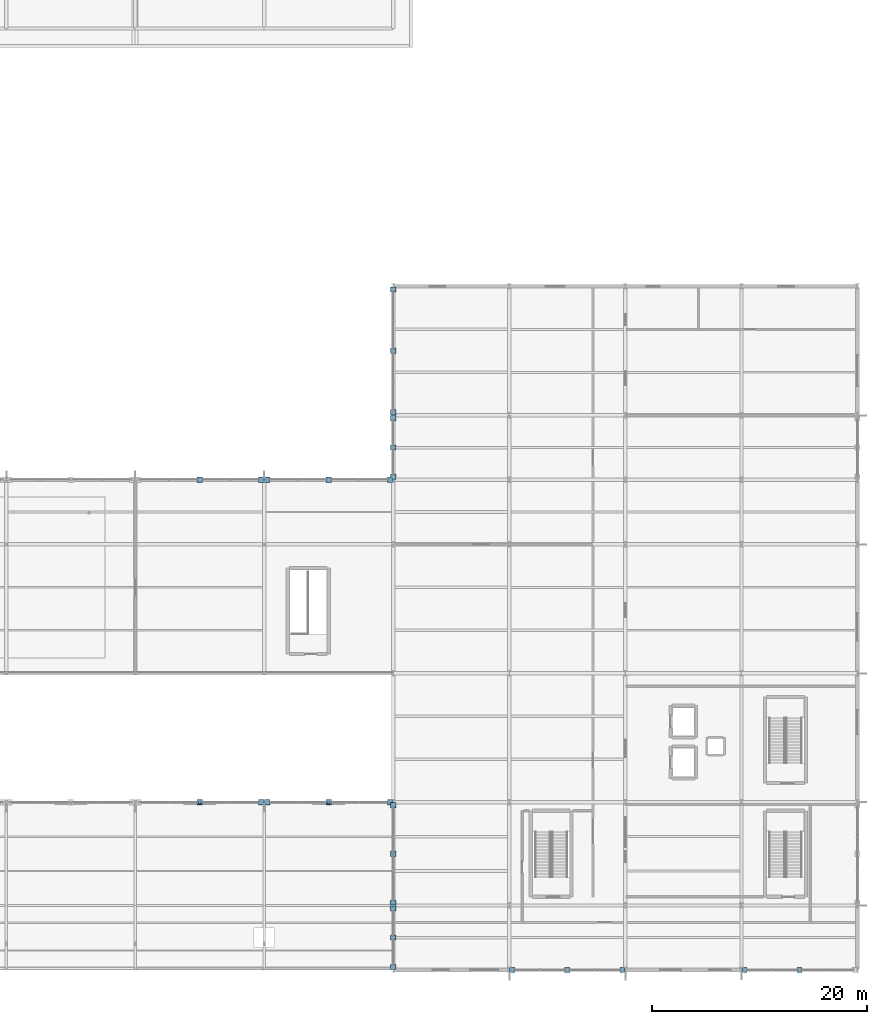
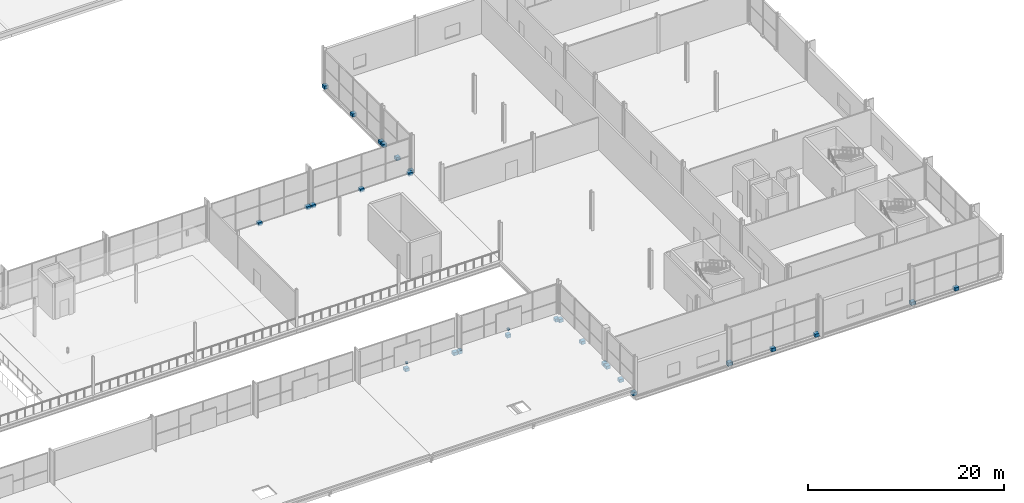
# One storey, part 149 of 159: 29 discrete accessories.
"""IFC4 building model written with IfcOpenShell, lengths in metres."""

from ifc_helpers import new_model, si_unit, direction, frame, origin, origin_2d, place, context, subcontext, project, spatial, rectangle, extrude, material, layer, layer_set, type_object, element, save


model = new_model("IFC4")

# Units and contexts
model_context = context("Model", 3, precision=1e-05, world=origin(), true_north=direction((0.0, 1.0)))
body_context = subcontext(model_context, "Body", "Model", "MODEL_VIEW")
ifc_project = project(units=[si_unit("LENGTHUNIT", "METRE"), si_unit("AREAUNIT", "SQUARE_METRE"), si_unit("VOLUMEUNIT", "CUBIC_METRE"), si_unit("PLANEANGLEUNIT", "RADIAN"), si_unit("MASSUNIT", "GRAM", prefix="KILO")], contexts=[model_context])

# Site, building, storey
site_placement = place(None, origin())
site = spatial("IfcSite", under=ifc_project, at=site_placement, CompositionType="ELEMENT")
building_placement = place(site_placement, origin())
building = spatial("IfcBuilding", under=site, at=building_placement, Name="Merenkruunu Market Hall", CompositionType="ELEMENT")
storey_placement = place(building_placement, frame((0.0, 0.0, 5.39990234375)))
storey = spatial("IfcBuildingStorey", under=building, at=storey_placement, Name="L01", CompositionType="ELEMENT", Elevation=5.39990234375)

# Discrete accessories
ifc_material = material(Name="Brushed stainless steel", Category="steel")
ifc_layer = layer(ifc_material, 0.159912109375)
ifc_layer_set = layer_set([ifc_layer], Name="Brushed stainless steel")
discrete_accessory_type = type_object("IfcDiscreteAccessoryType", Name="Stainless Facade Support Bracket BRK01", PredefinedType="BRACKET", material=ifc_layer_set)
for number, where, z_axis, x_axis, name in (
    (1, (136.52001953125, 15.60009765625, -0.199951171875), (0.0, 0.0, 1.0), (1.0, 0.0, 0.0), "ACC-CWBRK-195-1"),
    (2, (130.800048828125, 15.60009765625, -0.199951171875), (0.0, 0.0, 1.0), (1.0, 0.0, 0.0), "ACC-CWBRK-195-2"),
    (3, (130.800048828125, 45.60009765625, -0.199951171875), (0.0, 0.0, 1.0), (1.0, 0.0, 0.0), "ACC-CWBRK-197-2"),
    (4, (136.52001953125, 45.60009765625, -0.199951171875), (0.0, 0.0, 1.0), (1.0, 0.0, 0.0), "ACC-CWBRK-197-3"),
    (5, (148.52001953125, 15.60009765625, -0.199951171875), (0.0, 0.0, 1.0), (1.0, 0.0, 0.0), "ACC-CWBRK-199-1"),
    (6, (142.800048828125, 15.60009765625, -0.199951171875), (0.0, 0.0, 1.0), (1.0, 0.0, 0.0), "ACC-CWBRK-199-2"),
    (7, (137.080078125, 15.60009765625, -0.199951171875), (0.0, 0.0, 1.0), (1.0, 0.0, 0.0), "ACC-CWBRK-199-3"),
    (8, (137.080078125, 45.60009765625, -0.199951171875), (0.0, 0.0, 1.0), (1.0, 0.0, 0.0), "ACC-CWBRK-200-1"),
    (9, (142.800048828125, 45.60009765625, -0.199951171875), (0.0, 0.0, 1.0), (1.0, 0.0, 0.0), "ACC-CWBRK-200-2"),
    (10, (148.52001953125, 45.60009765625, -0.199951171875), (0.0, 0.0, 1.0), (1.0, 0.0, 0.0), "ACC-CWBRK-200-3"),
    (11, (170.1201171875, 0.0, -0.199951171875), (0.0, 0.0, 1.0), (1.0, 0.0, 0.0), "ACC-CWBRK-207-1"),
    (12, (165.0, 0.0, -0.199951171875), (0.0, 0.0, 1.0), (1.0, 0.0, 0.0), "ACC-CWBRK-207-2"),
    (13, (159.8798828125, 0.0, -0.199951171875), (0.0, 0.0, 1.0), (1.0, 0.0, 0.0), "ACC-CWBRK-207-3"),
    (14, (186.60009765625, 0.0, -0.199951171875), (0.0, 0.0, 1.0), (1.0, 0.0, 0.0), "ACC-CWBRK-208-2"),
    (15, (181.47998046875, 0.0, -0.199951171875), (0.0, 0.0, 1.0), (1.0, 0.0, 0.0), "ACC-CWBRK-208-3"),
    (16, (148.800048828125, 0.280029296875, -0.199951171875), (0.0, 0.0, 1.0), (1.0, 0.0, 0.0), "ACC-CWBRK-211-1"),
    (17, (148.800048828125, 3.0, -0.199951171875), (0.0, 0.0, 1.0), (1.0, 0.0, 0.0), "ACC-CWBRK-211-2"),
    (18, (148.800048828125, 5.719970703125, -0.199951171875), (0.0, 0.0, 1.0), (1.0, 0.0, 0.0), "ACC-CWBRK-211-3"),
    (19, (148.800048828125, 6.280029296875, -0.199951171875), (0.0, 0.0, 1.0), (1.0, 0.0, 0.0), "ACC-CWBRK-212-1"),
    (20, (148.800048828125, 10.800048828125, -0.199951171875), (0.0, 0.0, 1.0), (1.0, 0.0, 0.0), "ACC-CWBRK-212-2"),
    (21, (148.800048828125, 15.320068359375, -0.199951171875), (0.0, 0.0, 1.0), (1.0, 0.0, 0.0), "ACC-CWBRK-212-3"),
    (22, (148.800048828125, 45.8798828125, -0.199951171875), (0.0, 0.0, 1.0), (1.0, 0.0, 0.0), "ACC-CWBRK-213-1"),
    (23, (148.800048828125, 48.60009765625, -0.199951171875), (0.0, 0.0, 1.0), (1.0, 0.0, 0.0), "ACC-CWBRK-213-2"),
    (24, (148.800048828125, 51.320068359375, -0.199951171875), (0.0, 0.0, 1.0), (1.0, 0.0, 0.0), "ACC-CWBRK-213-3"),
    (25, (148.800048828125, 51.8798828125, -0.199951171875), (0.0, 0.0, 1.0), (1.0, 0.0, 0.0), "ACC-CWBRK-214-1"),
    (26, (148.800048828125, 57.60009765625, -0.199951171875), (0.0, 0.0, 1.0), (1.0, 0.0, 0.0), "ACC-CWBRK-214-2"),
    (27, (148.800048828125, 63.320068359375, -0.199951171875), (0.0, 0.0, 1.0), (1.0, 0.0, 0.0), "ACC-CWBRK-214-3"),
):
    element("IfcDiscreteAccessory", number, at=place(storey_placement, frame(where, z_axis=z_axis, x_axis=x_axis)), inside=storey, type_object=discrete_accessory_type, Name=name, PredefinedType="BRACKET", context=body_context, shape_type="SweptSolid", body=[
        extrude(rectangle(XDim=0.47998046875, YDim=0.47998046875, at=origin_2d()), origin(), (0.0, 0.0, 1.0), 0.39990234375),
    ])
for number, where, z_axis, x_axis, name in (
    (28, (130.800048828125, 15.5400390625, 0.72021484375), (0.0, 0.0, 1.0), (1.0, 0.0, 0.0), "ACC-BRK-04"),
    (29, (142.800048828125, 15.5400390625, 0.72021484375), (0.0, 0.0, 1.0), (1.0, 0.0, 0.0), "ACC-BRK-05"),
):
    element("IfcDiscreteAccessory", number, at=place(storey_placement, frame(where, z_axis=z_axis, x_axis=x_axis)), inside=storey, type_object=discrete_accessory_type, Name=name, PredefinedType="BRACKET", context=body_context, shape_type="SweptSolid", body=[
        extrude(rectangle(XDim=0.239990234375, YDim=0.239990234375, at=origin_2d()), origin(), (0.0, 0.0, 1.0), 0.199951171875),
    ])

save(model, "model.ifc")
